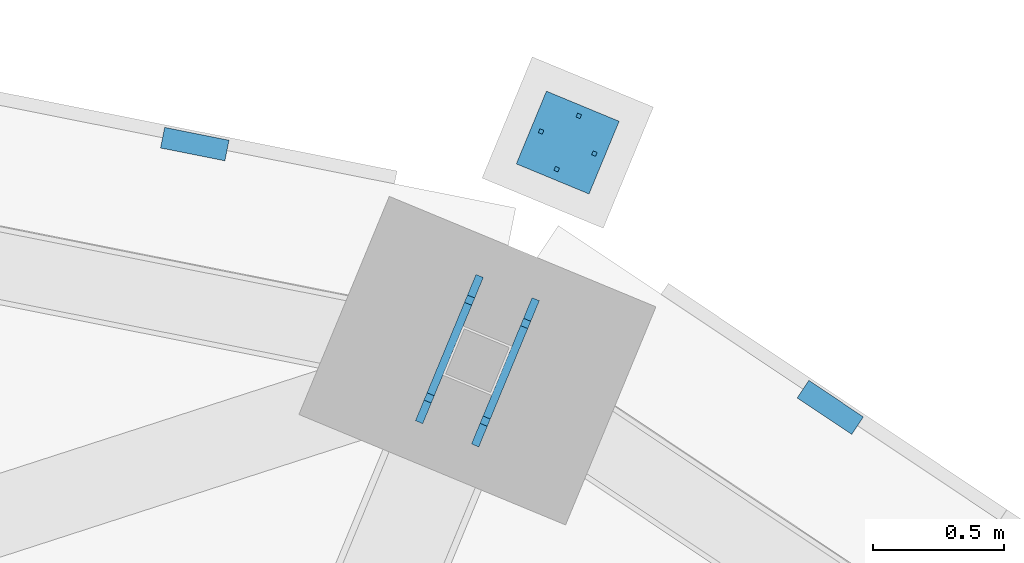
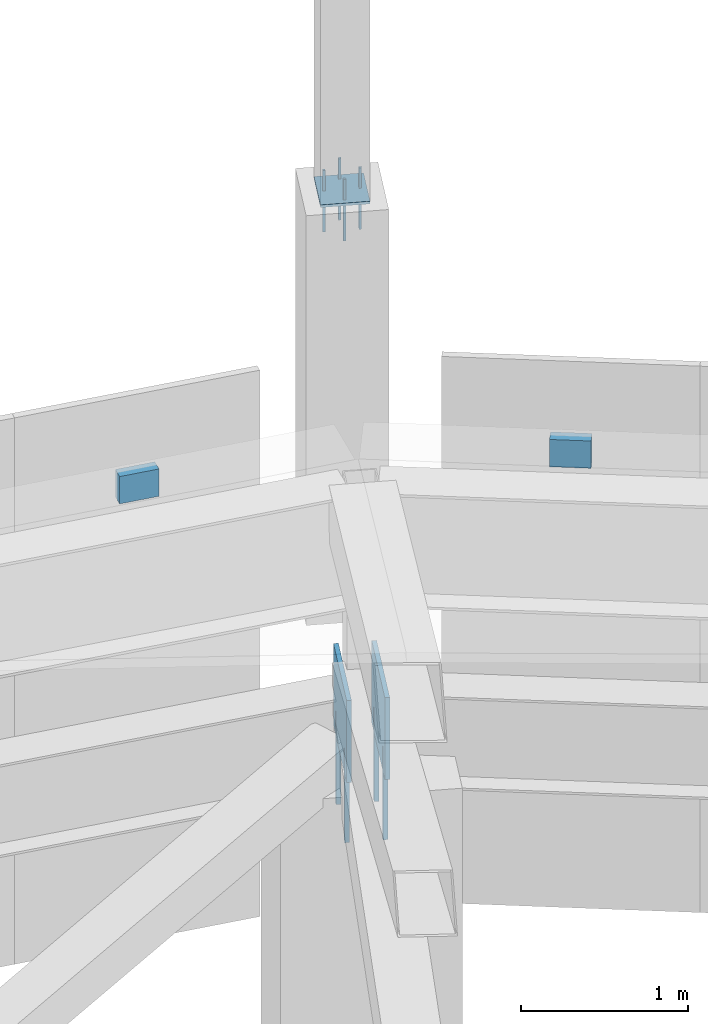
# One storey, part 268 of 278: 8 mechanical fasteners, 5 discrete accessories.
"""IFC4 building model written with IfcOpenShell, lengths in metres."""

from ifc_helpers import new_model, si_unit, direction, frame, origin, origin_2d, place, context, subcontext, project, spatial, rectangle, extrude, material, layer, layer_set, type_object, element, save


model = new_model("IFC4")

# Units and contexts
model_context = context("Model", 3, precision=1e-05, world=origin(), true_north=direction((0.0, 1.0)))
body_context = subcontext(model_context, "Body", "Model", "MODEL_VIEW")
ifc_project = project(units=[si_unit("LENGTHUNIT", "METRE"), si_unit("AREAUNIT", "SQUARE_METRE"), si_unit("VOLUMEUNIT", "CUBIC_METRE"), si_unit("PLANEANGLEUNIT", "RADIAN"), si_unit("MASSUNIT", "GRAM", prefix="KILO")], contexts=[model_context])

# Site, building, storey
site_placement = place(None, origin())
site = spatial("IfcSite", under=ifc_project, at=site_placement, CompositionType="ELEMENT")
building_placement = place(site_placement, origin())
building = spatial("IfcBuilding", under=site, at=building_placement, Name="Ogive Plaza Stadium", CompositionType="ELEMENT")
storey_placement = place(building_placement, frame((0.0, 0.0, 29.0)))
storey = spatial("IfcBuildingStorey", under=building, at=storey_placement, Name="Roof", CompositionType="ELEMENT", Elevation=29.0)

# Mechanical fasteners
ifc_material_1 = material(Name="Steel ASTM A992 Grade 50", Category="steel")
mechanical_fastener_type_1 = type_object("IfcMechanicalFastenerType", Name="Anchor bolt M30 x 600", PredefinedType="ANCHORBOLT", material=ifc_material_1)
for number, where, z_axis, x_axis, name in (
    (1, (53.1044921875, 98.924560546875, 3.0), (0.0, 0.0, 1.0), (0.382683432365, 0.923879532511, 0.0), "ANCHOR BOLT 38 BF 1.1"),
    (2, (52.9501953125, 98.552001953125, 3.0), (0.0, 0.0, 1.0), (0.382683432365, 0.923879532511, 0.0), "ANCHOR BOLT 38 BF 1.2"),
    (3, (53.318115234375, 98.8359375, 3.0), (0.0, 0.0, 1.0), (0.382683432365, 0.923879532511, 0.0), "ANCHOR BOLT 38 BF 2.1"),
    (4, (53.163818359375, 98.46337890625, 3.0), (0.0, 0.0, 1.0), (0.382683432365, 0.923879532511, 0.0), "ANCHOR BOLT 38 BF 2.2"),
):
    element("IfcMechanicalFastener", number, at=place(storey_placement, frame(where, z_axis=z_axis, x_axis=x_axis)), inside=storey, type_object=mechanical_fastener_type_1, Name=name, PredefinedType="ANCHORBOLT", context=body_context, shape_type="SweptSolid", body=[
        extrude(rectangle(XDim=0.030029296875, YDim=0.030029296875, at=origin_2d()), origin(), (0.0, 0.0, 1.0), 0.679931640625),
    ])
ifc_material_2 = material(Name="Steel ASTM A992 Grade 50", Category="steel")
mechanical_fastener_type_2 = type_object("IfcMechanicalFastenerType", Name="Spire anchor bolt M16 x 450", PredefinedType="ANCHORBOLT", material=ifc_material_2)
for number, where, z_axis, x_axis, name in (
    (5, (53.520751953125, 99.627197265625, 6.7001953125), (0.0, 0.0, 1.0), (0.382683432365, 0.923879532511, 0.0), "SPIRE ANCHOR BOLT 38 1"),
    (6, (53.4365234375, 99.423828125, 6.7001953125), (0.0, 0.0, 1.0), (0.382683432365, 0.923879532511, 0.0), "SPIRE ANCHOR BOLT 38 2"),
    (7, (53.376953125, 99.567626953125, 6.7001953125), (0.0, 0.0, 1.0), (0.382683432365, 0.923879532511, 0.0), "SPIRE ANCHOR BOLT 38 3"),
    (8, (53.580078125, 99.4833984375, 6.7001953125), (0.0, 0.0, 1.0), (0.382683432365, 0.923879532511, 0.0), "SPIRE ANCHOR BOLT 38 4"),
):
    element("IfcMechanicalFastener", number, at=place(storey_placement, frame(where, z_axis=z_axis, x_axis=x_axis)), inside=storey, type_object=mechanical_fastener_type_2, Name=name, PredefinedType="ANCHORBOLT", context=body_context, shape_type="SweptSolid", body=[
        extrude(rectangle(XDim=0.01611328125, YDim=0.01611328125, at=origin_2d()), origin(), (0.0, 0.0, 1.0), 0.449951171875),
    ])

# Discrete accessories
ifc_material_3 = material(Name="Steel ASTM A992 Grade 50", Category="steel")
ifc_layer_1 = layer(ifc_material_3, 0.02001953125)
ifc_layer_set_1 = layer_set([ifc_layer_1], Name="Steel ASTM A992 Grade 50")
discrete_accessory_type_1 = type_object("IfcDiscreteAccessoryType", Name="Spire seat plate 20", PredefinedType="ANCHORPLATE", material=ifc_layer_set_1)
discrete_accessory_placement = place(storey_placement, frame((53.478515625, 99.525390625, 6.98095703125), z_axis=(0.0, 0.0, 1.0), x_axis=(0.382683432365, 0.923879532511, 0.0)))
element("IfcDiscreteAccessory", 9, at=discrete_accessory_placement, inside=storey, type_object=discrete_accessory_type_1, Name="SPIRE SEAT PLATE 38", PredefinedType="ANCHORPLATE", context=body_context, shape_type="SweptSolid", body=[
    extrude(rectangle(XDim=0.300048828125, YDim=0.300048828125, at=origin_2d()), origin(), (0.0, 0.0, 1.0), 0.02001953125),
])
ifc_material_4 = material(Name="Steel ASTM A572 Grade 50", Category="steel")
ifc_layer_2 = layer(ifc_material_4, 0.080078125)
ifc_layer_set_2 = layer_set([ifc_layer_2], Name="Steel ASTM A572 Grade 50")
discrete_accessory_type_2 = type_object("IfcDiscreteAccessoryType", Name="Tracery screen bracket 250x200", PredefinedType="BRACKET", material=ifc_layer_set_2)
for number, where, z_axis, x_axis, name in (
    (10, (52.056884765625, 99.51953125, 5.25), (0.0, 0.0, 1.0), (0.980785280403, -0.195090322016, 0.0), "TRACERY SCREEN BRACKET B37 12"),
    (11, (54.4794921875, 98.515869140625, 5.25), (0.0, 0.0, 1.0), (0.831469612303, -0.55557023302, 0.0), "TRACERY SCREEN BRACKET B38 1"),
):
    element("IfcDiscreteAccessory", number, at=place(storey_placement, frame(where, z_axis=z_axis, x_axis=x_axis)), inside=storey, type_object=discrete_accessory_type_2, Name=name, PredefinedType="BRACKET", context=body_context, shape_type="SweptSolid", body=[
        extrude(rectangle(XDim=0.25, YDim=0.080078125, at=origin_2d()), origin(), (0.0, 0.0, 1.0), 0.199951171875),
    ])
ifc_material_5 = material(Name="Steel ASTM A992 Grade 50", Category="steel")
ifc_layer_3 = layer(ifc_material_5, 0.030029296875)
ifc_layer_set_3 = layer_set([ifc_layer_3], Name="Steel ASTM A992 Grade 50")
discrete_accessory_type_3 = type_object("IfcDiscreteAccessoryType", Name="Truss back-stay foot cleat plate 30", PredefinedType="ANCHORPLATE", material=ifc_layer_set_3)
for number, where, z_axis, x_axis, name in (
    (12, (53.02734375, 98.73828125, 3.5), (0.0, 0.0, 1.0), (0.382683432365, 0.923879532511, 0.0), "TRUSS BACK-STAY FOOT CLEAT PLATE 38 1"),
    (13, (53.240966796875, 98.649658203125, 3.5), (0.0, 0.0, 1.0), (0.382683432365, 0.923879532511, 0.0), "TRUSS BACK-STAY FOOT CLEAT PLATE 38 2"),
):
    element("IfcDiscreteAccessory", number, at=place(storey_placement, frame(where, z_axis=z_axis, x_axis=x_axis)), inside=storey, type_object=discrete_accessory_type_3, Name=name, PredefinedType="ANCHORPLATE", context=body_context, shape_type="SweptSolid", body=[
        extrude(rectangle(XDim=0.603271484375, YDim=0.030029296875, at=origin_2d()), origin(), (0.0, 0.0, 1.0), 0.60009765625),
    ])

save(model, "model.ifc")
